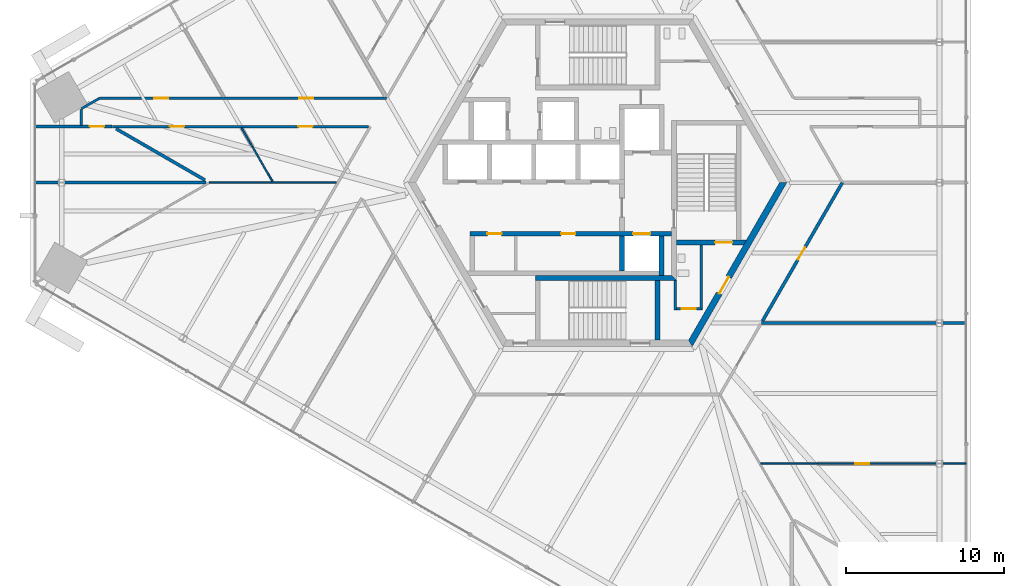
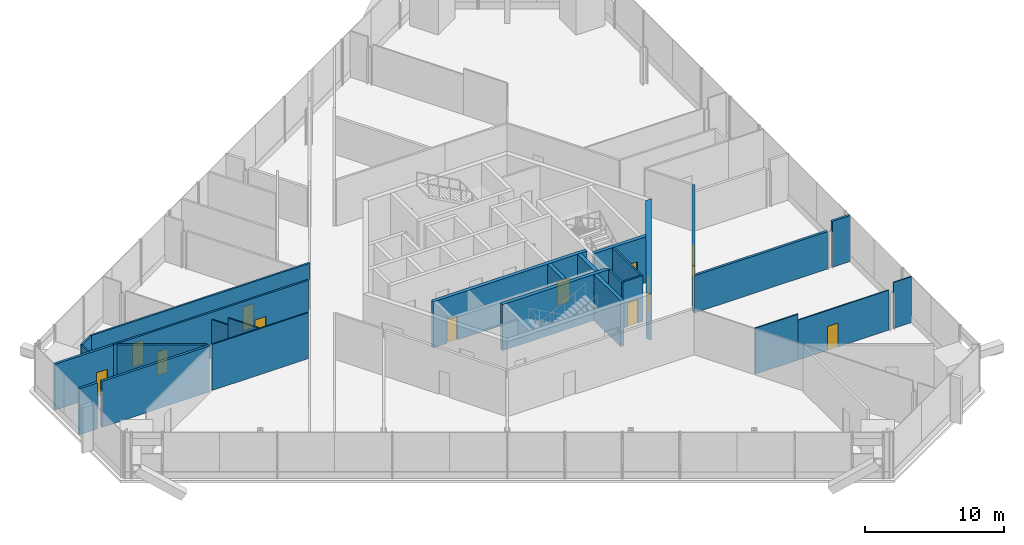
# One storey, part 17 of 22: 27 walls, 13 doors, 13 openings.
"""IFC4 building model written with IfcOpenShell, lengths in metres."""

from ifc_helpers import new_model, si_unit, direction, frame, frame_2d, origin, place, context, subcontext, project, spatial, polyline, rectangle, outline, extrude, source, transform, mapped, material, layer, layer_set, type_object, element, fill, save


model = new_model("IFC4")

# Units and contexts
model_context = context("Model", 3, precision=1e-05, world=origin(), true_north=direction((0.0, 1.0)))
body_context = subcontext(model_context, "Body", "Model", "MODEL_VIEW")
ifc_project = project(units=[si_unit("LENGTHUNIT", "METRE"), si_unit("AREAUNIT", "SQUARE_METRE"), si_unit("VOLUMEUNIT", "CUBIC_METRE"), si_unit("PLANEANGLEUNIT", "RADIAN"), si_unit("MASSUNIT", "GRAM", prefix="KILO")], contexts=[model_context])

# Site, building, storey
site_placement = place(None, origin())
site = spatial("IfcSite", under=ifc_project, at=site_placement, CompositionType="ELEMENT")
building_placement = place(site_placement, origin())
building = spatial("IfcBuilding", under=site, at=building_placement, Name="Triune Harvest Tower", CompositionType="ELEMENT")
storey_placement = place(building_placement, frame((0.0, 0.0, 50.39990234375)))
storey = spatial("IfcBuildingStorey", under=building, at=storey_placement, Name="L11", CompositionType="ELEMENT", Elevation=50.39990234375)

# Wall, opening, door
ifc_material_1 = material(Name="Concrete masonry unit", Category="masonry")
ifc_layer_1 = layer(ifc_material_1, 0.14990234375)
ifc_layer_set_1 = layer_set([ifc_layer_1], Name="Concrete masonry unit")
wall_type_1 = type_object("IfcWallType", Name="Block partition 150 unrated", PredefinedType="PARTITIONING", material=ifc_layer_set_1)
wall_1_placement = place(storey_placement, frame((5.0, -8.0, 0.0), z_axis=(0.0, 0.0, 1.0), x_axis=(1.0, 0.0, 0.0)))
wall_1 = element("IfcWall", 1, at=wall_1_placement, inside=storey, type_object=wall_type_1, Name="Wc acc south wall", PredefinedType="PARTITIONING", context=body_context, shape_type="SweptSolid", body=[
    extrude(outline(polyline([(0.0, -0.074951171875), (1.64990234375, -0.074951171875), (1.5, 0.074951171875), (0.0, 0.074951171875), (0.0, -0.074951171875)])), origin(), (0.0, 0.0, 1.0), 4.050048828125),
])
opening_1_placement = place(wall_1_placement, frame((0.33740234375, 0.0, 0.0)))
opening_1 = element("IfcOpeningElement", 2, at=opening_1_placement, cuts=wall_1, Name="Opening CD-WA", PredefinedType="OPENING", context=body_context, shape_type="SweptSolid", body=[
    extrude(rectangle(XDim=0.89990234375, YDim=2.10009765625, at=frame_2d((0.449951171875, 1.050048828125))), frame((0.0, 0.0849609375, 0.0), z_axis=(0.0, -1.0, 0.0), x_axis=(1.0, 0.0, 0.0)), (0.0, 0.0, 1.0), 0.169921875),
])
ifc_material_2 = material(Name="Timber C24", Category="wood")
door_type_1 = type_object("IfcDoorType", Name="WC door 900", OperationType="SINGLE_SWING_LEFT", PredefinedType="DOOR", material=ifc_material_2)
door_1_placement = place(opening_1_placement, origin())
door_1 = element("IfcDoor", 3, at=door_1_placement, inside=storey, type_object=door_type_1, Name="Door CD-WA", OperationType="SINGLE_SWING_LEFT", OverallHeight=2.10009765625, OverallWidth=0.89990234375, PredefinedType="DOOR", context=body_context, shape_type="SweptSolid", body=[
    extrude(rectangle(XDim=0.89990234375, YDim=2.10009765625, at=frame_2d((0.449951171875, 1.050048828125))), frame((0.0, 0.02490234375, 0.0), z_axis=(0.0, -1.0, 0.0), x_axis=(1.0, 0.0, 0.0)), (0.0, 0.0, 1.0), 0.050048828125),
])
fill(opening_1, door_1)

# Walls
wall_2_placement = place(storey_placement, frame((6.574951171875, -8.0, 0.0), z_axis=(0.0, 0.0, 1.0), x_axis=(0.0, 1.0, 0.0)))
element("IfcWall", 4, at=wall_2_placement, inside=storey, type_object=wall_type_1, Name="Wc acc east wall", PredefinedType="PARTITIONING", context=body_context, shape_type="SweptSolid", body=[
    extrude(outline(polyline([(-0.074951171875, -0.074951171875), (4.050048828125, -0.074951171875), (4.050048828125, 0.074951171875), (0.074951171875, 0.074951171875), (-0.074951171875, -0.074951171875)])), origin(), (0.0, 0.0, 1.0), 4.050048828125),
])
wall_3_placement = place(storey_placement, frame((4.925048828125, -8.074951171875, 0.0), z_axis=(0.0, 0.0, 1.0), x_axis=(0.0, 1.0, 0.0)))
element("IfcWall", 5, at=wall_3_placement, inside=storey, type_object=wall_type_1, Name="Wc acc west wall", PredefinedType="PARTITIONING", context=body_context, shape_type="SweptSolid", body=[
    extrude(rectangle(XDim=1.885009765625, YDim=0.14990234375, at=frame_2d((0.9423828125, 0.0))), origin(), (0.0, 0.0, 1.0), 4.050048828125),
])

# Wall, openings, doors
ifc_material_3 = material(Name="Concrete 70 MPa", Category="concrete")
ifc_layer_2 = layer(ifc_material_3, 0.300048828125)
ifc_layer_set_2 = layer_set([ifc_layer_2], Name="Concrete 70 MPa")
wall_type_2 = type_object("IfcWallType", Name="Core wall 300", PredefinedType="SHEAR", material=ifc_layer_set_2)
wall_4_placement = place(storey_placement, frame((-8.10009765625, -3.239990234375, 0.0), z_axis=(0.0, 0.0, 1.0), x_axis=(1.0, 0.0, 0.0)))
wall_4 = element("IfcWall", 6, at=wall_4_placement, inside=storey, type_object=wall_type_2, Name="South front wall", PredefinedType="SHEAR", context=body_context, shape_type="SweptSolid", body=[
    extrude(rectangle(XDim=12.800048828125, YDim=0.300048828125, at=frame_2d((6.39990234375, 0.0))), origin(), (0.0, 0.0, 1.0), 4.050048828125),
])
opening_2_placement = place(wall_4_placement, frame((1.112548828125, 0.0, 0.0)))
opening_2 = element("IfcOpeningElement", 7, at=opening_2_placement, cuts=wall_4, Name="Opening CD-RS1", PredefinedType="OPENING", context=body_context, shape_type="SweptSolid", body=[
    extrude(rectangle(XDim=0.89990234375, YDim=2.10009765625, at=frame_2d((0.449951171875, 1.050048828125))), frame((0.0, 0.16015625, 0.0), z_axis=(0.0, -1.0, 0.0), x_axis=(1.0, 0.0, 0.0)), (0.0, 0.0, 1.0), 0.320068359375),
])
opening_3_placement = place(wall_4_placement, frame((5.78759765625, 0.0, 0.0)))
opening_3 = element("IfcOpeningElement", 8, at=opening_3_placement, cuts=wall_4, Name="Opening CD-RS2", PredefinedType="OPENING", context=body_context, shape_type="SweptSolid", body=[
    extrude(rectangle(XDim=0.89990234375, YDim=2.10009765625, at=frame_2d((0.449951171875, 1.050048828125))), frame((0.0, 0.16015625, 0.0), z_axis=(0.0, -1.0, 0.0), x_axis=(1.0, 0.0, 0.0)), (0.0, 0.0, 1.0), 0.320068359375),
])
opening_4_placement = place(wall_4_placement, frame((10.35009765625, 0.0, 0.0)))
opening_4 = element("IfcOpeningElement", 9, at=opening_4_placement, cuts=wall_4, Name="Opening LD-FF2-11", PredefinedType="OPENING", context=body_context, shape_type="SweptSolid", body=[
    extrude(rectangle(XDim=1.10009765625, YDim=2.10009765625, at=frame_2d((0.550048828125, 1.050048828125))), frame((0.0, 0.16015625, 0.0), z_axis=(0.0, -1.0, 0.0), x_axis=(1.0, 0.0, 0.0)), (0.0, 0.0, 1.0), 0.320068359375),
])
ifc_material_4 = material(Name="Stainless steel AISI 304", Category="steel")
door_type_2 = type_object("IfcDoorType", Name="Landing door 1100 x 2100", OperationType="DOUBLE_DOOR_SLIDING", PredefinedType="DOOR", material=ifc_material_4)
door_2_placement = place(opening_4_placement, origin())
door_2 = element("IfcDoor", 10, at=door_2_placement, inside=storey, type_object=door_type_2, Name="Door LD-FF2-11", OperationType="DOUBLE_DOOR_SLIDING", OverallHeight=2.10009765625, OverallWidth=1.10009765625, PredefinedType="DOOR", context=body_context, shape_type="SweptSolid", body=[
    extrude(rectangle(XDim=1.10009765625, YDim=2.10009765625, at=frame_2d((0.550048828125, 1.050048828125))), frame((0.0, 0.02490234375, 0.0), z_axis=(0.0, -1.0, 0.0), x_axis=(1.0, 0.0, 0.0)), (0.0, 0.0, 1.0), 0.050048828125),
])
fill(opening_4, door_2)
ifc_material_5 = material(Name="Steel S235", Category="steel")
door_type_3 = type_object("IfcDoorType", Name="Riser door 900 FD120", OperationType="SINGLE_SWING_LEFT", PredefinedType="DOOR", material=ifc_material_5)
door_3_placement = place(opening_2_placement, origin())
door_3 = element("IfcDoor", 11, at=door_3_placement, inside=storey, type_object=door_type_3, Name="Door CD-RS1", OperationType="SINGLE_SWING_LEFT", OverallHeight=2.10009765625, OverallWidth=0.89990234375, PredefinedType="DOOR", context=body_context, shape_type="SweptSolid", body=[
    extrude(rectangle(XDim=0.89990234375, YDim=2.10009765625, at=frame_2d((0.449951171875, 1.050048828125))), frame((0.0, 0.02490234375, 0.0), z_axis=(0.0, -1.0, 0.0), x_axis=(1.0, 0.0, 0.0)), (0.0, 0.0, 1.0), 0.050048828125),
])
fill(opening_2, door_3)
door_4_placement = place(opening_3_placement, origin())
door_4 = element("IfcDoor", 12, at=door_4_placement, inside=storey, type_object=door_type_3, Name="Door CD-RS2", OperationType="SINGLE_SWING_LEFT", OverallHeight=2.10009765625, OverallWidth=0.89990234375, PredefinedType="DOOR", context=body_context, shape_type="SweptSolid", body=[
    extrude(rectangle(XDim=0.89990234375, YDim=2.10009765625, at=frame_2d((0.449951171875, 1.050048828125))), frame((0.0, 0.02490234375, 0.0), z_axis=(0.0, -1.0, 0.0), x_axis=(1.0, 0.0, 0.0)), (0.0, 0.0, 1.0), 0.050048828125),
])
fill(opening_3, door_4)

# Wall, opening, door
wall_5_placement = place(storey_placement, frame((5.0, -3.800048828125, 0.0), z_axis=(0.0, 0.0, 1.0), x_axis=(1.0, 0.0, 0.0)))
wall_5 = element("IfcWall", 13, at=wall_5_placement, inside=storey, type_object=wall_type_2, Name="Stair e south wall", PredefinedType="SHEAR", context=body_context, shape_type="SweptSolid", body=[
    extrude(outline(polyline([(0.0, -0.14990234375), (0.0, 0.14990234375), (4.43310546875, 0.14990234375), (4.260009765625, -0.14990234375), (0.0, -0.14990234375)])), origin(), (0.0, 0.0, 1.0), 4.050048828125),
])
opening_5_placement = place(wall_5_placement, frame((2.449951171875, 0.0, 0.0)))
opening_5 = element("IfcOpeningElement", 14, at=opening_5_placement, cuts=wall_5, Name="Opening CD-S3D", PredefinedType="OPENING", context=body_context, shape_type="SweptSolid", body=[
    extrude(rectangle(XDim=1.10009765625, YDim=2.10009765625, at=frame_2d((0.550048828125, 1.050048828125))), frame((0.0, 0.16015625, 0.0), z_axis=(0.0, -1.0, 0.0), x_axis=(1.0, 0.0, 0.0)), (0.0, 0.0, 1.0), 0.320068359375),
])
ifc_material_6 = material(Name="Steel S235", Category="steel")
door_type_4 = type_object("IfcDoorType", Name="Stair door 1100 FD120", OperationType="SINGLE_SWING_LEFT", PredefinedType="DOOR", material=ifc_material_6)
door_5_placement = place(opening_5_placement, frame((1.10009765625, 0.0, 0.0), z_axis=(0.0, 0.0, 1.0), x_axis=(-1.0, 0.0, 0.0)))
door_5 = element("IfcDoor", 15, at=door_5_placement, inside=storey, type_object=door_type_4, Name="Door CD-S3D", OperationType="SINGLE_SWING_RIGHT", OverallHeight=2.10009765625, OverallWidth=1.10009765625, PredefinedType="DOOR", context=body_context, shape_type="SweptSolid", body=[
    extrude(rectangle(XDim=1.10009765625, YDim=2.10009765625, at=frame_2d((0.550048828125, 1.050048828125))), frame((0.0, 0.02490234375, 0.0), z_axis=(0.0, -1.0, 0.0), x_axis=(1.0, 0.0, 0.0)), (0.0, 0.0, 1.0), 0.050048828125),
])
fill(opening_5, door_5)

# Wall
wall_6_placement = place(storey_placement, frame((-3.949951171875, -6.0400390625, 0.0), z_axis=(0.0, 0.0, 1.0), x_axis=(1.0, 0.0, 0.0)))
element("IfcWall", 16, at=wall_6_placement, inside=storey, type_object=wall_type_2, Name="Stair s north wall", PredefinedType="SHEAR", context=body_context, shape_type="SweptSolid", body=[
    extrude(outline(polyline([(0.0, -0.14990234375), (8.949951171875, -0.14990234375), (8.64990234375, 0.14990234375), (0.0, 0.14990234375), (0.0, -0.14990234375)])), origin(), (0.0, 0.0, 1.0), 4.050048828125),
])

# Wall, openings, doors
ifc_material_7 = material(Name="Gypsum board on steel studs", Category="steel")
ifc_layer_3 = layer(ifc_material_7, 0.14990234375)
ifc_layer_set_3 = layer_set([ifc_layer_3], Name="Gypsum board on steel studs")
wall_type_3 = type_object("IfcWallType", Name="Fire Partition 150 mm", PredefinedType="PARTITIONING", material=ifc_layer_set_3)
wall_7_placement = place(storey_placement, frame((-30.769775390625, 3.554931640625, 0.0), z_axis=(0.0, 0.0, 1.0), x_axis=(1.0, 0.0, 0.0)))
wall_7 = element("IfcWall", 17, at=wall_7_placement, inside=storey, type_object=wall_type_3, Name="Partition L11 033", PredefinedType="PARTITIONING", context=body_context, shape_type="SweptSolid", body=[
    extrude(rectangle(XDim=16.240478515625, YDim=0.14990234375, at=frame_2d((8.1201171875, 0.0))), origin(), (0.0, 0.0, 1.0), 4.050048828125),
])
opening_6_placement = place(wall_7_placement, frame((11.79052734375, 0.0, 0.0)))
opening_6 = element("IfcOpeningElement", 18, at=opening_6_placement, cuts=wall_7, Name="Opening L11-015", PredefinedType="OPENING", context=body_context, shape_type="SweptSolid", body=[
    extrude(rectangle(XDim=0.89990234375, YDim=2.10009765625, at=frame_2d((0.449951171875, 1.050048828125))), frame((0.0, 0.0849609375, 0.0), z_axis=(0.0, -1.0, 0.0), x_axis=(1.0, 0.0, 0.0)), (0.0, 0.0, 1.0), 0.169921875),
])
opening_7_placement = place(wall_7_placement, frame((3.64404296875, 0.0, 0.0)))
opening_7 = element("IfcOpeningElement", 19, at=opening_7_placement, cuts=wall_7, Name="Opening L11-017", PredefinedType="OPENING", context=body_context, shape_type="SweptSolid", body=[
    extrude(rectangle(XDim=0.89990234375, YDim=2.10009765625, at=frame_2d((0.449951171875, 1.050048828125))), frame((0.0, 0.0849609375, 0.0), z_axis=(0.0, -1.0, 0.0), x_axis=(1.0, 0.0, 0.0)), (0.0, 0.0, 1.0), 0.169921875),
])
ifc_material_8 = material(Name="Timber and steel door set", Category="steel")
door_type_5 = type_object("IfcDoorType", Name="Single leaf door FD30 left hand 900 x 2100", OperationType="SINGLE_SWING_LEFT", PredefinedType="DOOR", material=ifc_material_8)
door_6_placement = place(opening_6_placement, origin())
door_6 = element("IfcDoor", 20, at=door_6_placement, inside=storey, type_object=door_type_5, Name="Door L11-015 Staff Room 11.15", OperationType="SINGLE_SWING_LEFT", OverallHeight=2.10009765625, OverallWidth=0.89990234375, PredefinedType="DOOR", context=body_context, shape_type="SweptSolid", body=[
    extrude(rectangle(XDim=0.89990234375, YDim=2.10009765625, at=frame_2d((0.449951171875, 1.050048828125))), frame((0.0, 0.02490234375, 0.0), z_axis=(0.0, -1.0, 0.0), x_axis=(1.0, 0.0, 0.0)), (0.0, 0.0, 1.0), 0.050048828125),
])
fill(opening_6, door_6)
ifc_material_9 = material(Name="Timber and steel door set", Category="steel")
door_type_6 = type_object("IfcDoorType", Name="Single leaf door FD30 right hand 900 x 2100", OperationType="SINGLE_SWING_RIGHT", PredefinedType="DOOR", material=ifc_material_9)
door_7_placement = place(opening_7_placement, origin())
door_7 = element("IfcDoor", 21, at=door_7_placement, inside=storey, type_object=door_type_6, Name="Door L11-017 Staff Room 11.17", OperationType="SINGLE_SWING_RIGHT", OverallHeight=2.10009765625, OverallWidth=0.89990234375, PredefinedType="DOOR", context=body_context, shape_type="SweptSolid", body=[
    extrude(rectangle(XDim=0.89990234375, YDim=2.10009765625, at=frame_2d((0.449951171875, 1.050048828125))), frame((0.0, 0.02490234375, 0.0), z_axis=(0.0, -1.0, 0.0), x_axis=(1.0, 0.0, 0.0)), (0.0, 0.0, 1.0), 0.050048828125),
])
fill(opening_7, door_7)

wall_8_placement = place(storey_placement, frame((-31.583984375, 5.35498046875, 0.0), z_axis=(0.0, 0.0, 1.0), x_axis=(1.0, 0.0, 0.0)))
wall_8 = element("IfcWall", 22, at=wall_8_placement, inside=storey, type_object=wall_type_3, Name="Partition L11 036", PredefinedType="PARTITIONING", context=body_context, shape_type="SweptSolid", body=[
    extrude(rectangle(XDim=18.203857421875, YDim=0.14990234375, at=frame_2d((9.10205078125, 0.0))), origin(), (0.0, 0.0, 1.0), 4.050048828125),
])
opening_8_placement = place(wall_8_placement, frame((12.65380859375, 0.0, 0.0)))
opening_8 = element("IfcOpeningElement", 23, at=opening_8_placement, cuts=wall_8, Name="Opening L11-014", PredefinedType="OPENING", context=body_context, shape_type="SweptSolid", body=[
    extrude(rectangle(XDim=0.89990234375, YDim=2.10009765625, at=frame_2d((0.449951171875, 1.050048828125))), frame((0.0, 0.0849609375, 0.0), z_axis=(0.0, -1.0, 0.0), x_axis=(1.0, 0.0, 0.0)), (0.0, 0.0, 1.0), 0.169921875),
])
opening_9_placement = place(wall_8_placement, frame((3.46533203125, 0.0, 0.0)))
opening_9 = element("IfcOpeningElement", 24, at=opening_9_placement, cuts=wall_8, Name="Opening L11-016", PredefinedType="OPENING", context=body_context, shape_type="SweptSolid", body=[
    extrude(rectangle(XDim=0.89990234375, YDim=2.10009765625, at=frame_2d((0.449951171875, 1.050048828125))), frame((0.0, 0.0849609375, 0.0), z_axis=(0.0, -1.0, 0.0), x_axis=(1.0, 0.0, 0.0)), (0.0, 0.0, 1.0), 0.169921875),
])
door_8_placement = place(opening_9_placement, origin())
door_8 = element("IfcDoor", 25, at=door_8_placement, inside=storey, type_object=door_type_5, Name="Door L11-016 Staff Room 11.16", OperationType="SINGLE_SWING_LEFT", OverallHeight=2.10009765625, OverallWidth=0.89990234375, PredefinedType="DOOR", context=body_context, shape_type="SweptSolid", body=[
    extrude(rectangle(XDim=0.89990234375, YDim=2.10009765625, at=frame_2d((0.449951171875, 1.050048828125))), frame((0.0, 0.02490234375, 0.0), z_axis=(0.0, -1.0, 0.0), x_axis=(1.0, 0.0, 0.0)), (0.0, 0.0, 1.0), 0.050048828125),
])
fill(opening_9, door_8)
door_9_placement = place(opening_8_placement, origin())
door_9 = element("IfcDoor", 26, at=door_9_placement, inside=storey, type_object=door_type_6, Name="Door L11-014 Staff Room 11.14", OperationType="SINGLE_SWING_RIGHT", OverallHeight=2.10009765625, OverallWidth=0.89990234375, PredefinedType="DOOR", context=body_context, shape_type="SweptSolid", body=[
    extrude(rectangle(XDim=0.89990234375, YDim=2.10009765625, at=frame_2d((0.449951171875, 1.050048828125))), frame((0.0, 0.02490234375, 0.0), z_axis=(0.0, -1.0, 0.0), x_axis=(1.0, 0.0, 0.0)), (0.0, 0.0, 1.0), 0.050048828125),
])
fill(opening_8, door_9)

# Walls
wall_9_placement = place(storey_placement, frame((-32.738525390625, 4.688232421875, 0.0), z_axis=(0.0, 0.0, 1.0), x_axis=(0.865968850352, 0.500097940628, 0.0)))
element("IfcWall", 27, at=wall_9_placement, inside=storey, type_object=wall_type_3, Name="Partition L11 044", PredefinedType="PARTITIONING", context=body_context, shape_type="SweptSolid", body=[
    extrude(rectangle(XDim=1.313232421875, YDim=0.14990234375, at=frame_2d((0.65673828125, 0.0))), origin(), (0.0, 0.0, 1.0), 4.050048828125),
])
wall_10_placement = place(storey_placement, frame((-32.738525390625, 3.635009765625, 0.0), z_axis=(0.0, 0.0, 1.0), x_axis=(0.0, 1.0, 0.0)))
element("IfcWall", 28, at=wall_10_placement, inside=storey, type_object=wall_type_3, Name="Partition L11 063", PredefinedType="PARTITIONING", context=body_context, shape_type="SweptSolid", body=[
    extrude(rectangle(XDim=1.01318359375, YDim=0.14990234375, at=frame_2d((0.506591796875, 0.0))), origin(), (0.0, 0.0, 1.0), 4.050048828125),
])
ifc_material_10 = material(Name="Gypsum board on steel studs", Category="steel")
ifc_layer_4 = layer(ifc_material_10, 0.199951171875)
ifc_layer_set_4 = layer_set([ifc_layer_4], Name="Gypsum board on steel studs")
wall_type_4 = type_object("IfcWallType", Name="Fire Wall 200 mm", PredefinedType="PARTITIONING", material=ifc_layer_set_4)
wall_11_placement = place(storey_placement, frame((-30.533203125, 3.4150390625, 0.0), z_axis=(0.0, 0.0, 1.0), x_axis=(0.866024837091, -0.50000098154, 0.0)))
element("IfcWall", 29, at=wall_11_placement, inside=storey, type_object=wall_type_4, Name="Partition L11 019", PredefinedType="PARTITIONING", context=body_context, shape_type="SweptSolid", body=[
    extrude(rectangle(XDim=6.5, YDim=0.199951171875, at=frame_2d((3.25, 0.0))), origin(), (0.0, 0.0, 1.0), 4.050048828125),
])
wall_12_placement = place(storey_placement, frame((-33.79541015625, 0.0, 0.0), z_axis=(0.0, 0.0, 1.0), x_axis=(1.0, 0.0, 0.0)))
element("IfcWall", 30, at=wall_12_placement, inside=storey, type_object=wall_type_4, Name="Partition L11 028", PredefinedType="PARTITIONING", context=body_context, shape_type="SweptSolid", body=[
    extrude(rectangle(XDim=8.947265625, YDim=0.199951171875, at=frame_2d((4.4736328125, 0.0))), origin(), (0.0, 0.0, 1.0), 4.050048828125),
])

# Wall, opening, door
wall_13_placement = place(storey_placement, frame((-35.680419921875, 3.554931640625, 0.0), z_axis=(0.0, 0.0, 1.0), x_axis=(1.0, 0.0, 0.0)))
wall_13 = element("IfcWall", 31, at=wall_13_placement, inside=storey, type_object=wall_type_4, Name="Partition L11 032", PredefinedType="PARTITIONING", context=body_context, shape_type="SweptSolid", body=[
    extrude(rectangle(XDim=4.87060546875, YDim=0.199951171875, at=frame_2d((2.435302734375, 0.0))), origin(), (0.0, 0.0, 1.0), 4.050048828125),
])
opening_10_placement = place(wall_13_placement, frame((3.48193359375, 0.0, 0.0)))
opening_10 = element("IfcOpeningElement", 32, at=opening_10_placement, cuts=wall_13, Name="Opening L11-018", PredefinedType="OPENING", context=body_context, shape_type="SweptSolid", body=[
    extrude(rectangle(XDim=0.89990234375, YDim=2.10009765625, at=frame_2d((0.449951171875, 1.050048828125))), frame((0.0, 0.10986328125, 0.0), z_axis=(0.0, -1.0, 0.0), x_axis=(1.0, 0.0, 0.0)), (0.0, 0.0, 1.0), 0.219970703125),
])
ifc_material_11 = material(Name="Timber and steel door set", Category="steel")
door_type_7 = type_object("IfcDoorType", Name="Single leaf door FD60 left hand 900 x 2100", OperationType="SINGLE_SWING_LEFT", PredefinedType="DOOR", material=ifc_material_11)
door_10_placement = place(opening_10_placement, origin())
door_10 = element("IfcDoor", 33, at=door_10_placement, inside=storey, type_object=door_type_7, Name="Door L11-018 Pump Room 11.18", OperationType="SINGLE_SWING_LEFT", OverallHeight=2.10009765625, OverallWidth=0.89990234375, PredefinedType="DOOR", context=body_context, shape_type="SweptSolid", body=[
    extrude(rectangle(XDim=0.89990234375, YDim=2.10009765625, at=frame_2d((0.449951171875, 1.050048828125))), frame((0.0, 0.02490234375, 0.0), z_axis=(0.0, -1.0, 0.0), x_axis=(1.0, 0.0, 0.0)), (0.0, 0.0, 1.0), 0.050048828125),
])
fill(opening_10, door_10)

wall_14_placement = place(storey_placement, frame((10.455810546875, -8.7744140625, 0.0), z_axis=(0.0, 0.0, 1.0), x_axis=(0.500000566121, 0.866025076934, 0.0)))
wall_14 = element("IfcWall", 34, at=wall_14_placement, inside=storey, type_object=wall_type_4, Name="Partition L11 046", PredefinedType="PARTITIONING", context=body_context, shape_type="SweptSolid", body=[
    extrude(rectangle(XDim=10.1318359375, YDim=0.199951171875, at=frame_2d((5.06591796875, 0.0))), origin(), (0.0, 0.0, 1.0), 4.050048828125),
])
opening_11_placement = place(wall_14_placement, frame((4.493408203125, 0.0, 0.0)))
opening_11 = element("IfcOpeningElement", 35, at=opening_11_placement, cuts=wall_14, Name="Opening L11-003", PredefinedType="OPENING", context=body_context, shape_type="SweptSolid", body=[
    extrude(rectangle(XDim=0.89990234375, YDim=2.10009765625, at=frame_2d((0.449951171875, 1.050048828125))), frame((0.0, 0.10986328125, 0.0), z_axis=(0.0, -1.0, 0.0), x_axis=(1.0, 0.0, 0.0)), (0.0, 0.0, 1.0), 0.219970703125),
])
ifc_material_12 = material(Name="Timber and steel door set", Category="steel")
door_type_8 = type_object("IfcDoorType", Name="Single leaf door FD60 right hand 900 x 2100", OperationType="SINGLE_SWING_RIGHT", PredefinedType="DOOR", material=ifc_material_12)
door_11_placement = place(opening_11_placement, origin())
door_11 = element("IfcDoor", 36, at=door_11_placement, inside=storey, type_object=door_type_8, Name="Door L11-003 Pump Room 11.03", OperationType="SINGLE_SWING_RIGHT", OverallHeight=2.10009765625, OverallWidth=0.89990234375, PredefinedType="DOOR", context=body_context, shape_type="SweptSolid", body=[
    extrude(rectangle(XDim=0.89990234375, YDim=2.10009765625, at=frame_2d((0.449951171875, 1.050048828125))), frame((0.0, 0.02490234375, 0.0), z_axis=(0.0, -1.0, 0.0), x_axis=(1.0, 0.0, 0.0)), (0.0, 0.0, 1.0), 0.050048828125),
])
fill(opening_11, door_11)

# Walls
ifc_material_13 = material(Name="Gypsum board on steel studs", Category="steel")
ifc_layer_5 = layer(ifc_material_13, 0.10009765625)
ifc_layer_set_5 = layer_set([ifc_layer_5], Name="Gypsum board on steel studs")
wall_type_5 = type_object("IfcWallType", Name="Partition 100 mm", PredefinedType="PARTITIONING", material=ifc_layer_set_5)
wall_15_placement = place(storey_placement, frame((-22.584228515625, 3.477294921875, 0.0), z_axis=(0.0, 0.0, 1.0), x_axis=(0.499978698016, -0.866037702141, 0.0)))
element("IfcWall", 37, at=wall_15_placement, inside=storey, type_object=wall_type_5, Name="Partition L11 003", PredefinedType="PARTITIONING", context=body_context, shape_type="SweptSolid", body=[
    extrude(rectangle(XDim=1.37451171875, YDim=0.10009765625, at=frame_2d((0.687255859375, 0.0))), origin(), (0.0, 0.0, 1.0), 3.43798828125),
])
wall_16_placement = place(storey_placement, frame((-21.89697265625, 2.286865234375, 0.0), z_axis=(0.0, 0.0, 1.0), x_axis=(0.499995433041, -0.866028040503, 0.0)))
element("IfcWall", 38, at=wall_16_placement, inside=storey, type_object=wall_type_5, Name="Partition L11 003a", PredefinedType="PARTITIONING", context=body_context, shape_type="SweptSolid", body=[
    extrude(rectangle(XDim=2.58056640625, YDim=0.10009765625, at=frame_2d((1.290283203125, 0.0))), origin(), (0.0, 0.0, 1.0), 4.050048828125),
])
wall_17_placement = place(storey_placement, frame((10.348388671875, -17.820068359375, 0.0), z_axis=(0.0, 0.0, 1.0), x_axis=(1.0, 0.0, 0.0)))
element("IfcWall", 39, at=wall_17_placement, inside=storey, type_object=wall_type_5, Name="Partition L11 022", PredefinedType="PARTITIONING", context=body_context, shape_type="SweptSolid", body=[
    extrude(rectangle(XDim=3.569580078125, YDim=0.10009765625, at=frame_2d((1.78466796875, 0.0))), origin(), (0.0, 0.0, 1.0), 4.050048828125),
])
wall_18_placement = place(storey_placement, frame((-24.6181640625, 0.0, 0.0), z_axis=(0.0, 0.0, 1.0), x_axis=(1.0, 0.0, 0.0)))
element("IfcWall", 40, at=wall_18_placement, inside=storey, type_object=wall_type_5, Name="Partition L11 029", PredefinedType="PARTITIONING", context=body_context, shape_type="SweptSolid", body=[
    extrude(rectangle(XDim=8.056396484375, YDim=0.10009765625, at=frame_2d((4.0283203125, 0.0))), origin(), (0.0, 0.0, 1.0), 4.050048828125),
])

# Wall, opening, door
ifc_material_14 = material(Name="Concrete 70 MPa", Category="concrete")
ifc_layer_6 = layer(ifc_material_14, 0.39990234375)
ifc_layer_set_6 = layer_set([ifc_layer_6], Name="Concrete 70 MPa")
wall_type_6 = type_object("IfcWallType", Name="Core wall 400", PredefinedType="SHEAR", material=ifc_layer_set_6)
shared_shape_1 = source(origin(), body_context, "Body", "SweptSolid", [
    extrude(outline(polyline([(-0.115478515625, -0.199951171875), (11.884521484375, -0.199951171875), (11.653564453125, 0.199951171875), (0.115478515625, 0.199951171875), (-0.115478515625, -0.199951171875)])), origin(), (0.0, 0.0, 1.0), 4.050048828125),
])
wall_19_placement = place(storey_placement, frame((5.884521484375, -10.1923828125, 0.0), z_axis=(0.0, 0.0, 1.0), x_axis=(0.499996592174, 0.866027371285, 0.0)))
wall_19 = element("IfcWall", 41, at=wall_19_placement, inside=storey, type_object=wall_type_6, Name="Hexagon 5 wall", PredefinedType="SHEAR", context=body_context, shape_type="MappedRepresentation", body=[
    mapped(shared_shape_1, transform((0.0, 0.0, 0.0), scale=1.0)),
])
opening_12_placement = place(wall_19_placement, frame((3.66455078125, 0.0, 0.0)))
opening_12 = element("IfcOpeningElement", 42, at=opening_12_placement, cuts=wall_19, Name="Opening CD-DP", PredefinedType="OPENING", context=body_context, shape_type="SweptSolid", body=[
    extrude(rectangle(XDim=1.199951171875, YDim=2.10009765625, at=frame_2d((0.60009765625, 1.050048828125))), frame((0.0, 0.2099609375, 0.0), z_axis=(0.0, -1.0, 0.0), x_axis=(1.0, 0.0, 0.0)), (0.0, 0.0, 1.0), 0.419921875),
])
ifc_material_15 = material(Name="Steel S235", Category="steel")
door_type_9 = type_object("IfcDoorType", Name="Stair door 1200 FD120", OperationType="SINGLE_SWING_LEFT", PredefinedType="DOOR", material=ifc_material_15)
door_12_placement = place(opening_12_placement, frame((1.199951171875, 0.0, 0.0), z_axis=(0.0, 0.0, 1.0), x_axis=(-1.0, 0.0, 0.0)))
door_12 = element("IfcDoor", 43, at=door_12_placement, inside=storey, type_object=door_type_9, Name="Door CD-DP", OperationType="SINGLE_SWING_RIGHT", OverallHeight=2.10009765625, OverallWidth=1.199951171875, PredefinedType="DOOR", context=body_context, shape_type="SweptSolid", body=[
    extrude(rectangle(XDim=1.199951171875, YDim=2.10009765625, at=frame_2d((0.60009765625, 1.050048828125))), frame((0.0, 0.02490234375, 0.0), z_axis=(0.0, -1.0, 0.0), x_axis=(1.0, 0.0, 0.0)), (0.0, 0.0, 1.0), 0.050048828125),
])
fill(opening_12, door_12)

# Walls
shared_shape_2 = source(origin(), body_context, "Body", "SweptSolid", [
    extrude(rectangle(XDim=2.5, YDim=0.300048828125, at=frame_2d((1.25, 0.0))), origin(), (0.0, 0.0, 1.0), 4.050048828125),
])
wall_20_placement = place(storey_placement, frame((4.050048828125, -5.889892578125, 0.0), z_axis=(0.0, 0.0, 1.0), x_axis=(0.0, 1.0, 0.0)))
element("IfcWall", 44, at=wall_20_placement, inside=storey, type_object=wall_type_2, Name="Ff2 east wall", PredefinedType="SHEAR", context=body_context, shape_type="MappedRepresentation", body=[
    mapped(shared_shape_2, transform((0.0, 0.0, 0.0), scale=1.0)),
])
shared_shape_3 = source(origin(), body_context, "Body", "SweptSolid", [
    extrude(rectangle(XDim=2.2001953125, YDim=0.300048828125, at=frame_2d((1.10009765625, 0.0))), origin(), (0.0, 0.0, 1.0), 4.050048828125),
])
wall_21_placement = place(storey_placement, frame((1.550048828125, -5.590087890625, 0.0), z_axis=(0.0, 0.0, 1.0), x_axis=(0.0, 1.0, 0.0)))
element("IfcWall", 45, at=wall_21_placement, inside=storey, type_object=wall_type_2, Name="Ff2 west wall", PredefinedType="SHEAR", context=body_context, shape_type="MappedRepresentation", body=[
    mapped(shared_shape_3, transform((0.0, 0.0, 0.0), scale=1.0)),
])
shared_shape_4 = source(origin(), body_context, "Body", "SweptSolid", [
    extrude(outline(polyline([(3.800048828125, -0.14990234375), (-0.00439453125, -0.14990234375), (-0.00439453125, 0.14990234375), (3.800048828125, 0.14990234375), (3.800048828125, -0.14990234375)])), origin(), (0.0, 0.0, 1.0), 4.050048828125),
])
wall_22_placement = place(storey_placement, frame((3.800048828125, -9.989990234375, 0.0), z_axis=(0.0, 0.0, 1.0), x_axis=(0.0, 1.0, 0.0)))
element("IfcWall", 46, at=wall_22_placement, inside=storey, type_object=wall_type_2, Name="Stair s east wall", PredefinedType="SHEAR", context=body_context, shape_type="MappedRepresentation", body=[
    mapped(shared_shape_4, transform((0.0, 0.0, 0.0), scale=1.0)),
])
shared_shape_5 = source(origin(), body_context, "Body", "SweptSolid", [
    extrude(rectangle(XDim=1.49853515625, YDim=0.10009765625, at=frame_2d((0.749267578125, 0.0))), origin(), (0.0, 0.0, 1.0), 4.050048828125),
])
wall_23_placement = place(storey_placement, frame((21.872802734375, -17.820068359375, 0.0), z_axis=(0.0, 0.0, 1.0), x_axis=(1.0, 0.0, 0.0)))
element("IfcWall", 47, at=wall_23_placement, inside=storey, type_object=wall_type_5, Name="Partition L11 023", PredefinedType="PARTITIONING", context=body_context, shape_type="MappedRepresentation", body=[
    mapped(shared_shape_5, transform((0.0, 0.0, 0.0), scale=1.0)),
])
shared_shape_6 = source(origin(), body_context, "Body", "SweptSolid", [
    extrude(rectangle(XDim=1.49853515625, YDim=0.199951171875, at=frame_2d((0.749267578125, 0.0))), origin(), (0.0, 0.0, 1.0), 4.050048828125),
])
for number, where, z_axis, x_axis, name in (
    (48, (21.872802734375, -8.909912109375, 0.0), (0.0, 0.0, 1.0), (1.0, 0.0, 0.0), "Partition L11 026"),
    (49, (-35.680419921875, 0.0, 0.0), (0.0, 0.0, 1.0), (1.0, 0.0, 0.0), "Partition L11 027"),
):
    element("IfcWall", number, at=place(storey_placement, frame(where, z_axis=z_axis, x_axis=x_axis)), inside=storey, type_object=wall_type_4, Name=name, PredefinedType="PARTITIONING", context=body_context, shape_type="MappedRepresentation", body=[
        mapped(shared_shape_6, transform((0.0, 0.0, 0.0), scale=1.0)),
    ])

# Wall, opening, door
shared_shape_7 = source(origin(), body_context, "Body", "SweptSolid", [
    extrude(rectangle(XDim=7.568359375, YDim=0.10009765625, at=frame_2d((3.7841796875, 0.0))), origin(), (0.0, 0.0, 1.0), 3.51416015625),
])
wall_24_placement = place(storey_placement, frame((13.91796875, -17.820068359375, 0.0), z_axis=(0.0, 0.0, 1.0), x_axis=(1.0, 0.0, 0.0)))
wall_24 = element("IfcWall", 50, at=wall_24_placement, inside=storey, type_object=wall_type_5, Name="Partition L11 022a", PredefinedType="PARTITIONING", context=body_context, shape_type="MappedRepresentation", body=[
    mapped(shared_shape_7, transform((0.0, 0.0, 0.0), scale=1.0)),
])
opening_13_placement = place(wall_24_placement, frame((2.42041015625, 0.0, 0.0)))
opening_13 = element("IfcOpeningElement", 51, at=opening_13_placement, cuts=wall_24, Name="Opening L11-001", PredefinedType="OPENING", context=body_context, shape_type="SweptSolid", body=[
    extrude(rectangle(XDim=0.89990234375, YDim=2.10009765625, at=frame_2d((0.449951171875, 1.050048828125))), frame((0.0, 0.06005859375, 0.0), z_axis=(0.0, -1.0, 0.0), x_axis=(1.0, 0.0, 0.0)), (0.0, 0.0, 1.0), 0.1201171875),
])
ifc_material_16 = material(Name="Timber and steel door set", Category="steel")
door_type_10 = type_object("IfcDoorType", Name="Single leaf door left hand 900 x 2100", OperationType="SINGLE_SWING_LEFT", PredefinedType="DOOR", material=ifc_material_16)
door_13_placement = place(opening_13_placement, origin())
door_13 = element("IfcDoor", 52, at=door_13_placement, inside=storey, type_object=door_type_10, Name="Door L11-001 Water Laboratory 11.01", OperationType="SINGLE_SWING_LEFT", OverallHeight=2.10009765625, OverallWidth=0.89990234375, PredefinedType="DOOR", context=body_context, shape_type="SweptSolid", body=[
    extrude(rectangle(XDim=0.89990234375, YDim=2.10009765625, at=frame_2d((0.449951171875, 1.050048828125))), frame((0.0, 0.02490234375, 0.0), z_axis=(0.0, -1.0, 0.0), x_axis=(1.0, 0.0, 0.0)), (0.0, 0.0, 1.0), 0.050048828125),
])
fill(opening_13, door_13)

# Wall
shared_shape_8 = source(origin(), body_context, "Body", "SweptSolid", [
    extrude(rectangle(XDim=11.108642578125, YDim=0.199951171875, at=frame_2d((5.55419921875, 0.0))), origin(), (0.0, 0.0, 1.0), 3.293212890625),
])
wall_25_placement = place(storey_placement, frame((10.377685546875, -8.909912109375, 0.0), z_axis=(0.0, 0.0, 1.0), x_axis=(1.0, 0.0, 0.0)))
element("IfcWall", 53, at=wall_25_placement, inside=storey, type_object=wall_type_4, Name="Partition L11 025", PredefinedType="PARTITIONING", context=body_context, shape_type="MappedRepresentation", body=[
    mapped(shared_shape_8, transform((0.0, 0.0, 0.0), scale=1.0)),
])

save(model, "model.ifc")
